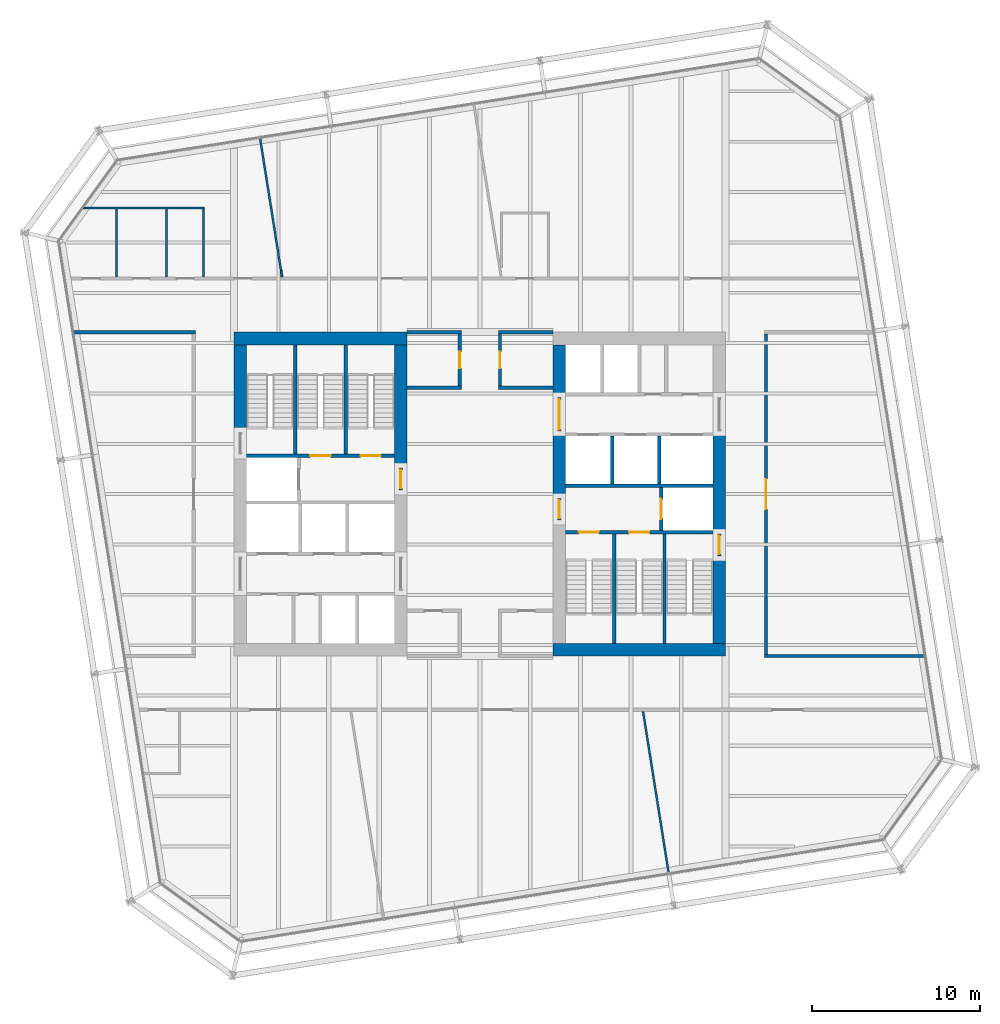
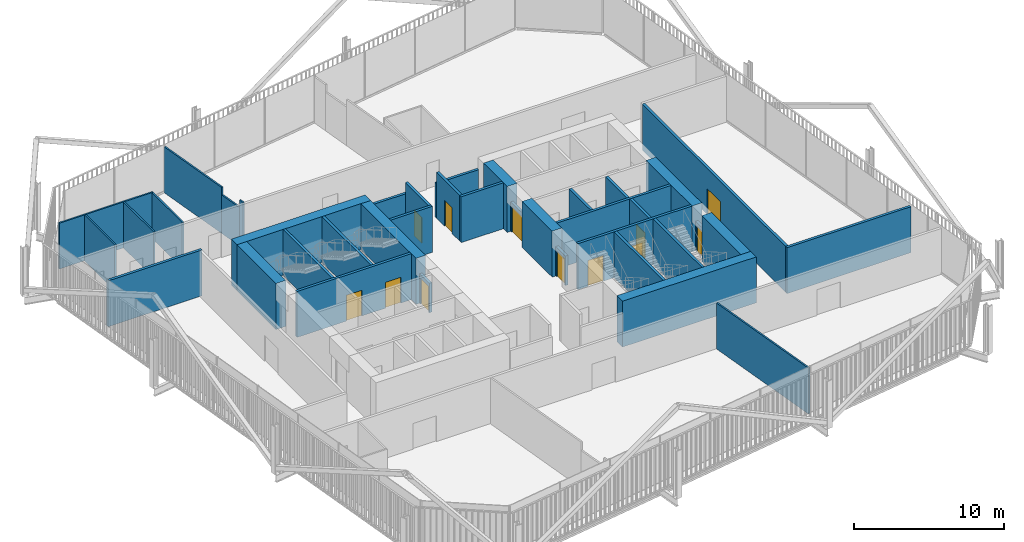
# One storey, part 19 of 22: 39 walls, 12 doors, 12 openings.
"""IFC4 building model written with IfcOpenShell, lengths in metres."""

from ifc_helpers import new_model, si_unit, direction, frame, frame_2d, origin, place, context, subcontext, project, spatial, rectangle, extrude, material, layer, layer_set, type_object, element, fill, save


model = new_model("IFC4")

# Units and contexts
model_context = context("Model", 3, precision=1e-05, world=origin(), true_north=direction((0.0, 1.0)))
body_context = subcontext(model_context, "Body", "Model", "MODEL_VIEW")
ifc_project = project(units=[si_unit("LENGTHUNIT", "METRE"), si_unit("AREAUNIT", "SQUARE_METRE"), si_unit("VOLUMEUNIT", "CUBIC_METRE"), si_unit("PLANEANGLEUNIT", "RADIAN"), si_unit("MASSUNIT", "GRAM", prefix="KILO")], contexts=[model_context])

# Site, building, storey
site_placement = place(None, origin())
site = spatial("IfcSite", under=ifc_project, at=site_placement, CompositionType="ELEMENT")
building_placement = place(site_placement, origin())
building = spatial("IfcBuilding", under=site, at=building_placement, Name="Millrace Tower", CompositionType="ELEMENT")
storey_placement = place(building_placement, frame((0.0, 0.0, 137.300048828125)))
storey = spatial("IfcBuildingStorey", under=building, at=storey_placement, Name="L30", CompositionType="ELEMENT", Elevation=137.300048828125)

# Walls
ifc_material_1 = material(Name="Concrete C70", Category="concrete")
ifc_layer_1 = layer(ifc_material_1, 0.75)
ifc_layer_set_1 = layer_set([ifc_layer_1], Name="Concrete C70")
wall_type_1 = type_object("IfcWallType", Name="Core wall 750 Concrete C70", PredefinedType="SHEAR", material=ifc_layer_set_1)
wall_1_placement = place(storey_placement, frame((-14.64990234375, 9.27490234375, 0.0), z_axis=(0.0, 0.0, 1.0), x_axis=(1.0, 0.0, 0.0)))
element("IfcWall", 1, at=wall_1_placement, inside=storey, type_object=wall_type_1, Name="Core wall W L30", PredefinedType="SHEAR", context=body_context, shape_type="SweptSolid", body=[
    extrude(rectangle(XDim=10.2998046875, YDim=0.75, at=frame_2d((5.14990234375, 0.0))), origin(), (0.0, 0.0, 1.0), 3.739990234375),
])
wall_2_placement = place(storey_placement, frame((-14.27490234375, 3.679931640625, 0.0), z_axis=(0.0, 0.0, 1.0), x_axis=(0.0, 1.0, 0.0)))
element("IfcWall", 2, at=wall_2_placement, inside=storey, type_object=wall_type_1, Name="Core wall W L30", PredefinedType="SHEAR", context=body_context, shape_type="SweptSolid", body=[
    extrude(rectangle(XDim=5.219970703125, YDim=0.75, at=frame_2d((2.60986328125, 0.0))), origin(), (0.0, 0.0, 1.0), 3.739990234375),
])
wall_3_placement = place(storey_placement, frame((-4.72509765625, 1.550048828125, 0.0), z_axis=(0.0, 0.0, 1.0), x_axis=(0.0, 1.0, 0.0)))
element("IfcWall", 3, at=wall_3_placement, inside=storey, type_object=wall_type_1, Name="Core wall W L30", PredefinedType="SHEAR", context=body_context, shape_type="SweptSolid", body=[
    extrude(rectangle(XDim=7.349853515625, YDim=0.75, at=frame_2d((3.6748046875, 0.0))), origin(), (0.0, 0.0, 1.0), 3.739990234375),
])
wall_4_placement = place(storey_placement, frame((14.64990234375, -9.27490234375, 0.0), z_axis=(0.0, 0.0, 1.0), x_axis=(-1.0, 0.0, 0.0)))
element("IfcWall", 4, at=wall_4_placement, inside=storey, type_object=wall_type_1, Name="Core wall E L30", PredefinedType="SHEAR", context=body_context, shape_type="SweptSolid", body=[
    extrude(rectangle(XDim=10.2998046875, YDim=0.75, at=frame_2d((5.14990234375, 0.0))), origin(), (0.0, 0.0, 1.0), 3.739990234375),
])
wall_5_placement = place(storey_placement, frame((14.27490234375, 3.75, 0.0), z_axis=(0.0, 0.0, 1.0), x_axis=(0.0, -1.0, 0.0)))
element("IfcWall", 5, at=wall_5_placement, inside=storey, type_object=wall_type_1, Name="Core wall E L30", PredefinedType="SHEAR", context=body_context, shape_type="SweptSolid", body=[
    extrude(rectangle(XDim=6.1298828125, YDim=0.75, at=frame_2d((3.06494140625, 0.0))), origin(), (0.0, 0.0, 1.0), 3.739990234375),
])
wall_6_placement = place(storey_placement, frame((14.27490234375, -3.679931640625, 0.0), z_axis=(0.0, 0.0, 1.0), x_axis=(0.0, -1.0, 0.0)))
element("IfcWall", 6, at=wall_6_placement, inside=storey, type_object=wall_type_1, Name="Core wall E L30", PredefinedType="SHEAR", context=body_context, shape_type="SweptSolid", body=[
    extrude(rectangle(XDim=5.219970703125, YDim=0.75, at=frame_2d((2.60986328125, 0.0))), origin(), (0.0, 0.0, 1.0), 3.739990234375),
])
wall_7_placement = place(storey_placement, frame((4.72509765625, 8.89990234375, 0.0), z_axis=(0.0, 0.0, 1.0), x_axis=(0.0, -1.0, 0.0)))
element("IfcWall", 7, at=wall_7_placement, inside=storey, type_object=wall_type_1, Name="Core wall E L30", PredefinedType="SHEAR", context=body_context, shape_type="SweptSolid", body=[
    extrude(rectangle(XDim=3.14990234375, YDim=0.75, at=frame_2d((1.574951171875, 0.0))), origin(), (0.0, 0.0, 1.0), 3.739990234375),
])
wall_8_placement = place(storey_placement, frame((4.72509765625, 3.75, 0.0), z_axis=(0.0, 0.0, 1.0), x_axis=(0.0, -1.0, 0.0)))
element("IfcWall", 8, at=wall_8_placement, inside=storey, type_object=wall_type_1, Name="Core wall E L30", PredefinedType="SHEAR", context=body_context, shape_type="SweptSolid", body=[
    extrude(rectangle(XDim=4.0, YDim=0.75, at=frame_2d((2.0, 0.0))), origin(), (0.0, 0.0, 1.0), 3.739990234375),
])
ifc_material_2 = material(Name="Masonry partition, fire-rated", Category="masonry")
ifc_layer_2 = layer(ifc_material_2, 0.199951171875)
ifc_layer_set_2 = layer_set([ifc_layer_2], Name="Masonry partition, fire-rated")
wall_type_2 = type_object("IfcWallType", Name="Corridor wall 200", PredefinedType="PARTITIONING", material=ifc_layer_set_2)
wall_9_placement = place(storey_placement, frame((16.949951171875, -9.64990234375, 0.0), z_axis=(0.0, 0.0, 1.0), x_axis=(1.0, 0.0, 0.0)))
element("IfcWall", 9, at=wall_9_placement, inside=storey, type_object=wall_type_2, Name="Corridor wall L30", PredefinedType="PARTITIONING", context=body_context, shape_type="SweptSolid", body=[
    extrude(rectangle(XDim=9.54638671875, YDim=0.199951171875, at=frame_2d((4.773193359375, 0.0))), origin(), (0.0, 0.0, 1.0), 3.739990234375),
])
for number, where, z_axis, x_axis, name in (
    (10, (-4.35009765625, 6.35009765625, 0.0), (0.0, 0.0, 1.0), (1.0, 0.0, 0.0), "Corridor wall L30"),
    (11, (1.10009765625, 6.35009765625, 0.0), (0.0, 0.0, 1.0), (1.0, 0.0, 0.0), "Corridor wall L30"),
):
    element("IfcWall", number, at=place(storey_placement, frame(where, z_axis=z_axis, x_axis=x_axis)), inside=storey, type_object=wall_type_2, Name=name, PredefinedType="PARTITIONING", context=body_context, shape_type="SweptSolid", body=[
        extrude(rectangle(XDim=3.25, YDim=0.199951171875, at=frame_2d((1.625, 0.0))), origin(), (0.0, 0.0, 1.0), 3.739990234375),
    ])
wall_10_placement = place(storey_placement, frame((-24.20703125, 9.64990234375, 0.0), z_axis=(0.0, 0.0, 1.0), x_axis=(1.0, 0.0, 0.0)))
element("IfcWall", 12, at=wall_10_placement, inside=storey, type_object=wall_type_2, Name="Corridor wall L30", PredefinedType="PARTITIONING", context=body_context, shape_type="SweptSolid", body=[
    extrude(rectangle(XDim=7.257080078125, YDim=0.199951171875, at=frame_2d((3.62841796875, 0.0))), origin(), (0.0, 0.0, 1.0), 3.739990234375),
])
for number, where, z_axis, x_axis, name in (
    (13, (-4.35009765625, 9.64990234375, 0.0), (0.0, 0.0, 1.0), (1.0, 0.0, 0.0), "Corridor wall L30"),
    (14, (1.10009765625, 9.64990234375, 0.0), (0.0, 0.0, 1.0), (1.0, 0.0, 0.0), "Corridor wall L30"),
):
    element("IfcWall", number, at=place(storey_placement, frame(where, z_axis=z_axis, x_axis=x_axis)), inside=storey, type_object=wall_type_2, Name=name, PredefinedType="PARTITIONING", context=body_context, shape_type="SweptSolid", body=[
        extrude(rectangle(XDim=3.25, YDim=0.199951171875, at=frame_2d((1.625, 0.0))), origin(), (0.0, 0.0, 1.0), 2.812744140625),
    ])

# Wall, opening, door
wall_11_placement = place(storey_placement, frame((17.050048828125, -9.550048828125, 0.0), z_axis=(0.0, 0.0, 1.0), x_axis=(0.0, 1.0, 0.0)))
wall_11 = element("IfcWall", 15, at=wall_11_placement, inside=storey, type_object=wall_type_2, Name="Corridor wall L30", PredefinedType="PARTITIONING", context=body_context, shape_type="SweptSolid", body=[
    extrude(rectangle(XDim=19.10009765625, YDim=0.199951171875, at=frame_2d((9.550048828125, 0.0))), origin(), (0.0, 0.0, 1.0), 3.739990234375),
])
opening_1_placement = place(wall_11_placement, frame((8.64990234375, 0.0, 0.0)))
opening_1 = element("IfcOpeningElement", 16, at=opening_1_placement, cuts=wall_11, Name="Opening 30-P012", PredefinedType="OPENING", context=body_context, shape_type="SweptSolid", body=[
    extrude(rectangle(XDim=1.800048828125, YDim=2.10009765625, at=frame_2d((0.89990234375, 1.050048828125))), frame((0.0, 0.10986328125, 0.0), z_axis=(0.0, -1.0, 0.0), x_axis=(1.0, 0.0, 0.0)), (0.0, 0.0, 1.0), 0.219970703125),
])
ifc_material_3 = material(Name="Steel door set, fire-rated", Category="steel")
door_type_1 = type_object("IfcDoorType", Name="Corridor door 1800 x 2100", OperationType="DOUBLE_DOOR_SINGLE_SWING", PredefinedType="DOOR", material=ifc_material_3)
door_1_placement = place(opening_1_placement, origin())
door_1 = element("IfcDoor", 17, at=door_1_placement, inside=storey, type_object=door_type_1, Name="Door 30-P012", OperationType="DOUBLE_DOOR_SINGLE_SWING", OverallHeight=2.10009765625, OverallWidth=1.800048828125, PredefinedType="DOOR", context=body_context, shape_type="SweptSolid", body=[
    extrude(rectangle(XDim=1.800048828125, YDim=2.10009765625, at=frame_2d((0.89990234375, 1.050048828125))), frame((0.0, 0.02490234375, 0.0), z_axis=(0.0, -1.0, 0.0), x_axis=(1.0, 0.0, 0.0)), (0.0, 0.0, 1.0), 0.050048828125),
])
fill(opening_1, door_1)

wall_12_placement = place(storey_placement, frame((1.199951171875, 6.449951171875, 0.0), z_axis=(0.0, 0.0, 1.0), x_axis=(0.0, 1.0, 0.0)))
wall_12 = element("IfcWall", 18, at=wall_12_placement, inside=storey, type_object=wall_type_2, Name="Corridor wall L30", PredefinedType="PARTITIONING", context=body_context, shape_type="SweptSolid", body=[
    extrude(rectangle(XDim=3.10009765625, YDim=0.199951171875, at=frame_2d((1.550048828125, 0.0))), origin(), (0.0, 0.0, 1.0), 3.739990234375),
])
opening_2_placement = place(wall_12_placement, frame((1.050048828125, 0.0, 0.0)))
opening_2 = element("IfcOpeningElement", 19, at=opening_2_placement, cuts=wall_12, Name="Opening 30-P002", PredefinedType="OPENING", context=body_context, shape_type="SweptSolid", body=[
    extrude(rectangle(XDim=1.0, YDim=2.10009765625, at=frame_2d((0.5, 1.050048828125))), frame((0.0, 0.10986328125, 0.0), z_axis=(0.0, -1.0, 0.0), x_axis=(1.0, 0.0, 0.0)), (0.0, 0.0, 1.0), 0.219970703125),
])
ifc_material_4 = material(Name="Steel door set, fire-rated", Category="steel")
door_type_2 = type_object("IfcDoorType", Name="Corridor door 1000 x 2100", OperationType="SINGLE_SWING_LEFT", PredefinedType="DOOR", material=ifc_material_4)
door_2_placement = place(opening_2_placement, frame((1.0, 0.0, 0.0), z_axis=(0.0, 0.0, 1.0), x_axis=(-1.0, 0.0, 0.0)))
door_2 = element("IfcDoor", 20, at=door_2_placement, inside=storey, type_object=door_type_2, Name="Door 30-P002", OperationType="SINGLE_SWING_RIGHT", OverallHeight=2.10009765625, OverallWidth=1.0, PredefinedType="DOOR", context=body_context, shape_type="SweptSolid", body=[
    extrude(rectangle(XDim=1.0, YDim=2.10009765625, at=frame_2d((0.5, 1.050048828125))), frame((0.0, 0.02490234375, 0.0), z_axis=(0.0, -1.0, 0.0), x_axis=(1.0, 0.0, 0.0)), (0.0, 0.0, 1.0), 0.050048828125),
])
fill(opening_2, door_2)

wall_13_placement = place(storey_placement, frame((-1.199951171875, 6.449951171875, 0.0), z_axis=(0.0, 0.0, 1.0), x_axis=(0.0, 1.0, 0.0)))
wall_13 = element("IfcWall", 21, at=wall_13_placement, inside=storey, type_object=wall_type_2, Name="Corridor wall L30", PredefinedType="PARTITIONING", context=body_context, shape_type="SweptSolid", body=[
    extrude(rectangle(XDim=3.10009765625, YDim=0.199951171875, at=frame_2d((1.550048828125, 0.0))), origin(), (0.0, 0.0, 1.0), 3.739990234375),
])
opening_3_placement = place(wall_13_placement, frame((1.050048828125, 0.0, 0.0)))
opening_3 = element("IfcOpeningElement", 22, at=opening_3_placement, cuts=wall_13, Name="Opening 30-P001", PredefinedType="OPENING", context=body_context, shape_type="SweptSolid", body=[
    extrude(rectangle(XDim=1.0, YDim=2.10009765625, at=frame_2d((0.5, 1.050048828125))), frame((0.0, 0.10986328125, 0.0), z_axis=(0.0, -1.0, 0.0), x_axis=(1.0, 0.0, 0.0)), (0.0, 0.0, 1.0), 0.219970703125),
])
door_3_placement = place(opening_3_placement, origin())
door_3 = element("IfcDoor", 23, at=door_3_placement, inside=storey, type_object=door_type_2, Name="Door 30-P001", OperationType="SINGLE_SWING_LEFT", OverallHeight=2.10009765625, OverallWidth=1.0, PredefinedType="DOOR", context=body_context, shape_type="SweptSolid", body=[
    extrude(rectangle(XDim=1.0, YDim=2.10009765625, at=frame_2d((0.5, 1.050048828125))), frame((0.0, 0.02490234375, 0.0), z_axis=(0.0, -1.0, 0.0), x_axis=(1.0, 0.0, 0.0)), (0.0, 0.0, 1.0), 0.050048828125),
])
fill(opening_3, door_3)

# Wall
ifc_material_5 = material(Name="Masonry partition, fire-rated", Category="masonry")
ifc_layer_3 = layer(ifc_material_5, 0.199951171875)
ifc_layer_set_3 = layer_set([ifc_layer_3], Name="Masonry partition, fire-rated")
wall_type_3 = type_object("IfcWallType", Name="Lift shaft wall 200", PredefinedType="PARTITIONING", material=ifc_layer_set_3)
wall_14_placement = place(storey_placement, frame((13.89990234375, 0.5, 0.0), z_axis=(0.0, 0.0, 1.0), x_axis=(-1.0, 0.0, 0.0)))
element("IfcWall", 24, at=wall_14_placement, inside=storey, type_object=wall_type_3, Name="Lift shaft wall E L30", PredefinedType="PARTITIONING", context=body_context, shape_type="SweptSolid", body=[
    extrude(rectangle(XDim=8.7998046875, YDim=0.199951171875, at=frame_2d((4.39990234375, 0.0))), origin(), (0.0, 0.0, 1.0), 3.739990234375),
])

# Wall, opening, door
wall_15_placement = place(storey_placement, frame((10.800048828125, 0.39990234375, 0.0), z_axis=(0.0, 0.0, 1.0), x_axis=(0.0, -1.0, 0.0)))
wall_15 = element("IfcWall", 25, at=wall_15_placement, inside=storey, type_object=wall_type_3, Name="Lift shaft wall E L30", PredefinedType="PARTITIONING", context=body_context, shape_type="SweptSolid", body=[
    extrude(rectangle(XDim=2.579833984375, YDim=0.199951171875, at=frame_2d((1.2900390625, 0.0))), origin(), (0.0, 0.0, 1.0), 3.739990234375),
])
opening_4_placement = place(wall_15_placement, frame((0.68994140625, 0.0, 0.0)))
opening_4 = element("IfcOpeningElement", 26, at=opening_4_placement, cuts=wall_15, Name="Opening 30-LD16", PredefinedType="OPENING", context=body_context, shape_type="SweptSolid", body=[
    extrude(rectangle(XDim=1.199951171875, YDim=2.10009765625, at=frame_2d((0.60009765625, 1.050048828125))), frame((0.0, 0.10986328125, 0.0), z_axis=(0.0, -1.0, 0.0), x_axis=(1.0, 0.0, 0.0)), (0.0, 0.0, 1.0), 0.219970703125),
])
ifc_material_6 = material(Name="Stainless steel, fire-rated", Category="steel")
door_type_3 = type_object("IfcDoorType", Name="Lift landing door 1200 x 2100", OperationType="DOUBLE_DOOR_SLIDING", PredefinedType="DOOR", material=ifc_material_6)
door_4_placement = place(opening_4_placement, origin())
door_4 = element("IfcDoor", 27, at=door_4_placement, inside=storey, type_object=door_type_3, Name="Lift landing door LF16 L30", OperationType="DOUBLE_DOOR_SLIDING", OverallHeight=2.10009765625, OverallWidth=1.199951171875, PredefinedType="DOOR", context=body_context, shape_type="SweptSolid", body=[
    extrude(rectangle(XDim=1.199951171875, YDim=2.10009765625, at=frame_2d((0.60009765625, 1.050048828125))), frame((0.0, 0.02490234375, 0.0), z_axis=(0.0, -1.0, 0.0), x_axis=(1.0, 0.0, 0.0)), (0.0, 0.0, 1.0), 0.050048828125),
])
fill(opening_4, door_4)

# Walls
for number, where, z_axis, x_axis, name in (
    (28, (10.699951171875, 3.449951171875, 0.0), (0.0, 0.0, 1.0), (0.0, -1.0, 0.0), "Lift shaft wall E L30"),
    (29, (7.89990234375, 3.449951171875, 0.0), (0.0, 0.0, 1.0), (0.0, -1.0, 0.0), "Lift shaft wall E L30"),
):
    element("IfcWall", number, at=place(storey_placement, frame(where, z_axis=z_axis, x_axis=x_axis)), inside=storey, type_object=wall_type_3, Name=name, PredefinedType="PARTITIONING", context=body_context, shape_type="SweptSolid", body=[
        extrude(rectangle(XDim=2.849853515625, YDim=0.199951171875, at=frame_2d((1.4248046875, 0.0))), origin(), (0.0, 0.0, 1.0), 3.739990234375),
    ])

# Wall, opening, door
ifc_material_7 = material(Name="Masonry partition, fire-rated", Category="masonry")
ifc_layer_4 = layer(ifc_material_7, 0.199951171875)
ifc_layer_set_4 = layer_set([ifc_layer_4], Name="Masonry partition, fire-rated")
wall_type_4 = type_object("IfcWallType", Name="Lobby wall 200", PredefinedType="PARTITIONING", material=ifc_layer_set_4)
wall_16_placement = place(storey_placement, frame((-4.72509765625, 0.25, 0.0), z_axis=(0.0, 0.0, 1.0), x_axis=(0.0, 1.0, 0.0)))
wall_16 = element("IfcWall", 30, at=wall_16_placement, inside=storey, type_object=wall_type_4, Name="Lobby wall W L30", PredefinedType="PARTITIONING", context=body_context, shape_type="SweptSolid", body=[
    extrude(rectangle(XDim=1.300048828125, YDim=0.199951171875, at=frame_2d((0.64990234375, 0.0))), origin(), (0.0, 0.0, 1.0), 2.39990234375),
])
opening_5_placement = place(wall_16_placement, frame((0.10009765625, 0.0, 0.0)))
opening_5 = element("IfcOpeningElement", 31, at=opening_5_placement, cuts=wall_16, Name="Opening 30-C004", PredefinedType="OPENING", context=body_context, shape_type="SweptSolid", body=[
    extrude(rectangle(XDim=1.10009765625, YDim=2.10009765625, at=frame_2d((0.550048828125, 1.050048828125))), frame((0.0, 0.10986328125, 0.0), z_axis=(0.0, -1.0, 0.0), x_axis=(1.0, 0.0, 0.0)), (0.0, 0.0, 1.0), 0.219970703125),
])
ifc_material_8 = material(Name="Steel door, fire-rated", Category="steel")
door_type_4 = type_object("IfcDoorType", Name="Lobby door 1100 x 2100", OperationType="SINGLE_SWING_LEFT", PredefinedType="DOOR", material=ifc_material_8)
door_5_placement = place(opening_5_placement, origin())
door_5 = element("IfcDoor", 32, at=door_5_placement, inside=storey, type_object=door_type_4, Name="Lobby door 30-C004", OperationType="SINGLE_SWING_LEFT", OverallHeight=2.10009765625, OverallWidth=1.10009765625, PredefinedType="DOOR", context=body_context, shape_type="SweptSolid", body=[
    extrude(rectangle(XDim=1.10009765625, YDim=2.10009765625, at=frame_2d((0.550048828125, 1.050048828125))), frame((0.0, 0.02490234375, 0.0), z_axis=(0.0, -1.0, 0.0), x_axis=(1.0, 0.0, 0.0)), (0.0, 0.0, 1.0), 0.050048828125),
])
fill(opening_5, door_5)

wall_17_placement = place(storey_placement, frame((4.72509765625, 5.75, 0.0), z_axis=(0.0, 0.0, 1.0), x_axis=(0.0, -1.0, 0.0)))
wall_17 = element("IfcWall", 33, at=wall_17_placement, inside=storey, type_object=wall_type_4, Name="Lobby wall E L30", PredefinedType="PARTITIONING", context=body_context, shape_type="SweptSolid", body=[
    extrude(rectangle(XDim=2.0, YDim=0.199951171875, at=frame_2d((1.0, 0.0))), origin(), (0.0, 0.0, 1.0), 2.39990234375),
])
opening_6_placement = place(wall_17_placement, frame((0.10009765625, 0.0, 0.0)))
opening_6 = element("IfcOpeningElement", 34, at=opening_6_placement, cuts=wall_17, Name="Opening 30-C011", PredefinedType="OPENING", context=body_context, shape_type="SweptSolid", body=[
    extrude(rectangle(XDim=1.800048828125, YDim=2.10009765625, at=frame_2d((0.89990234375, 1.050048828125))), frame((0.0, 0.10986328125, 0.0), z_axis=(0.0, -1.0, 0.0), x_axis=(1.0, 0.0, 0.0)), (0.0, 0.0, 1.0), 0.219970703125),
])
ifc_material_9 = material(Name="Steel door, fire-rated", Category="steel")
door_type_5 = type_object("IfcDoorType", Name="Lobby door 1800 x 2100", OperationType="DOUBLE_DOOR_SINGLE_SWING", PredefinedType="DOOR", material=ifc_material_9)
door_6_placement = place(opening_6_placement, origin())
door_6 = element("IfcDoor", 35, at=door_6_placement, inside=storey, type_object=door_type_5, Name="Lobby door 30-C011", OperationType="DOUBLE_DOOR_SINGLE_SWING", OverallHeight=2.10009765625, OverallWidth=1.800048828125, PredefinedType="DOOR", context=body_context, shape_type="SweptSolid", body=[
    extrude(rectangle(XDim=1.800048828125, YDim=2.10009765625, at=frame_2d((0.89990234375, 1.050048828125))), frame((0.0, 0.02490234375, 0.0), z_axis=(0.0, -1.0, 0.0), x_axis=(1.0, 0.0, 0.0)), (0.0, 0.0, 1.0), 0.050048828125),
])
fill(opening_6, door_6)

wall_18_placement = place(storey_placement, frame((4.72509765625, -0.25, 0.0), z_axis=(0.0, 0.0, 1.0), x_axis=(0.0, -1.0, 0.0)))
wall_18 = element("IfcWall", 36, at=wall_18_placement, inside=storey, type_object=wall_type_4, Name="Lobby wall E L30", PredefinedType="PARTITIONING", context=body_context, shape_type="SweptSolid", body=[
    extrude(rectangle(XDim=1.300048828125, YDim=0.199951171875, at=frame_2d((0.64990234375, 0.0))), origin(), (0.0, 0.0, 1.0), 2.39990234375),
])
opening_7_placement = place(wall_18_placement, frame((0.10009765625, 0.0, 0.0)))
opening_7 = element("IfcOpeningElement", 37, at=opening_7_placement, cuts=wall_18, Name="Opening 30-C012", PredefinedType="OPENING", context=body_context, shape_type="SweptSolid", body=[
    extrude(rectangle(XDim=1.10009765625, YDim=2.10009765625, at=frame_2d((0.550048828125, 1.050048828125))), frame((0.0, 0.10986328125, 0.0), z_axis=(0.0, -1.0, 0.0), x_axis=(1.0, 0.0, 0.0)), (0.0, 0.0, 1.0), 0.219970703125),
])
door_7_placement = place(opening_7_placement, origin())
door_7 = element("IfcDoor", 38, at=door_7_placement, inside=storey, type_object=door_type_4, Name="Lobby door 30-C012", OperationType="SINGLE_SWING_RIGHT", OverallHeight=2.10009765625, OverallWidth=1.10009765625, PredefinedType="DOOR", context=body_context, shape_type="SweptSolid", body=[
    extrude(rectangle(XDim=1.10009765625, YDim=2.10009765625, at=frame_2d((0.550048828125, 1.050048828125))), frame((0.0, 0.02490234375, 0.0), z_axis=(0.0, -1.0, 0.0), x_axis=(1.0, 0.0, 0.0)), (0.0, 0.0, 1.0), 0.050048828125),
])
fill(opening_7, door_7)

# Walls
ifc_material_10 = material(Name="Gypsum board partition")
ifc_layer_5 = layer(ifc_material_10, 0.1201171875)
ifc_layer_set_5 = layer_set([ifc_layer_5], Name="Gypsum board partition")
wall_type_5 = type_object("IfcWallType", Name="Partition wall 120", PredefinedType="PARTITIONING", material=ifc_layer_set_5)
wall_19_placement = place(storey_placement, frame((-13.098876953125, 21.20849609375, 0.0), z_axis=(0.0, 0.0, 1.0), x_axis=(0.156435215838, -0.98768822168, 0.0)))
element("IfcWall", 39, at=wall_19_placement, inside=storey, type_object=wall_type_5, Name="Partition wall L30", PredefinedType="PARTITIONING", context=body_context, shape_type="SweptSolid", body=[
    extrude(rectangle(XDim=6.073974609375, YDim=0.1201171875, at=frame_2d((3.037109375, 0.0))), origin(), (0.0, 0.0, 1.0), 3.739990234375),
])
wall_20_placement = place(storey_placement, frame((-12.148681640625, 15.209228515625, 0.0), z_axis=(0.0, 0.0, 1.0), x_axis=(0.15645727636, -0.987684727367, 0.0)))
element("IfcWall", 40, at=wall_20_placement, inside=storey, type_object=wall_type_5, Name="Partition wall L30", PredefinedType="PARTITIONING", context=body_context, shape_type="SweptSolid", body=[
    extrude(rectangle(XDim=1.900634765625, YDim=0.1201171875, at=frame_2d((0.9501953125, 0.0))), origin(), (0.0, 0.0, 1.0), 3.137939453125),
])
wall_21_placement = place(storey_placement, frame((-11.851318359375, 13.33203125, 0.0), z_axis=(0.0, 0.0, 1.0), x_axis=(0.156640922974, -0.987655618751, 0.0)))
element("IfcWall", 41, at=wall_21_placement, inside=storey, type_object=wall_type_5, Name="Partition wall L30", PredefinedType="PARTITIONING", context=body_context, shape_type="SweptSolid", body=[
    extrude(rectangle(XDim=0.38818359375, YDim=0.1201171875, at=frame_2d((0.194091796875, 0.0))), origin(), (0.0, 0.0, 1.0), 3.739990234375),
])
wall_22_placement = place(storey_placement, frame((9.7255859375, -12.94873046875, 0.0), z_axis=(0.0, 0.0, 1.0), x_axis=(0.156481887186, -0.987680828498, 0.0)))
element("IfcWall", 42, at=wall_22_placement, inside=storey, type_object=wall_type_5, Name="Partition wall L30", PredefinedType="PARTITIONING", context=body_context, shape_type="SweptSolid", body=[
    extrude(rectangle(XDim=9.752685546875, YDim=0.1201171875, at=frame_2d((4.87646484375, 0.0))), origin(), (0.0, 0.0, 1.0), 3.739990234375),
])
wall_23_placement = place(storey_placement, frame((-23.6474609375, 17.050048828125, 0.0), z_axis=(0.0, 0.0, 1.0), x_axis=(1.0, 0.0, 0.0)))
element("IfcWall", 43, at=wall_23_placement, inside=storey, type_object=wall_type_5, Name="Partition wall L30", PredefinedType="PARTITIONING", context=body_context, shape_type="SweptSolid", body=[
    extrude(rectangle(XDim=7.244384765625, YDim=0.1201171875, at=frame_2d((3.6220703125, 0.0))), origin(), (0.0, 0.0, 1.0), 3.739990234375),
])
for number, where, z_axis, x_axis, name in (
    (44, (-16.462890625, 12.949951171875, 0.0), (0.0, 0.0, 1.0), (0.0, 1.0, 0.0), "Partition wall L30"),
    (45, (-18.6630859375, 12.949951171875, 0.0), (0.0, 0.0, 1.0), (0.0, 1.0, 0.0), "Partition wall L30"),
    (46, (-21.6630859375, 12.949951171875, 0.0), (0.0, 0.0, 1.0), (0.0, 1.0, 0.0), "Partition wall L30"),
):
    element("IfcWall", number, at=place(storey_placement, frame(where, z_axis=z_axis, x_axis=x_axis)), inside=storey, type_object=wall_type_5, Name=name, PredefinedType="PARTITIONING", context=body_context, shape_type="SweptSolid", body=[
        extrude(rectangle(XDim=4.0400390625, YDim=0.1201171875, at=frame_2d((2.02001953125, 0.0))), origin(), (0.0, 0.0, 1.0), 3.739990234375),
    ])

# Wall, openings, doors
ifc_material_11 = material(Name="Concrete C40", Category="concrete")
ifc_layer_6 = layer(ifc_material_11, 0.199951171875)
ifc_layer_set_6 = layer_set([ifc_layer_6], Name="Concrete C40")
wall_type_6 = type_object("IfcWallType", Name="Stair enclosure wall 200 Concrete C40", PredefinedType="SHEAR", material=ifc_layer_set_6)
wall_24_placement = place(storey_placement, frame((-13.89990234375, 2.280029296875, 0.0), z_axis=(0.0, 0.0, 1.0), x_axis=(1.0, 0.0, 0.0)))
wall_24 = element("IfcWall", 47, at=wall_24_placement, inside=storey, type_object=wall_type_6, Name="Stair enclosure wall W L30", PredefinedType="SHEAR", context=body_context, shape_type="SweptSolid", body=[
    extrude(rectangle(XDim=8.7998046875, YDim=0.199951171875, at=frame_2d((4.39990234375, 0.0))), origin(), (0.0, 0.0, 1.0), 3.739990234375),
])
opening_8_placement = place(wall_24_placement, frame((3.800048828125, 0.0, 0.0)))
opening_8 = element("IfcOpeningElement", 48, at=opening_8_placement, cuts=wall_24, Name="Opening 30-C007", PredefinedType="OPENING", context=body_context, shape_type="SweptSolid", body=[
    extrude(rectangle(XDim=1.199951171875, YDim=2.10009765625, at=frame_2d((0.60009765625, 1.050048828125))), frame((0.0, 0.10986328125, 0.0), z_axis=(0.0, -1.0, 0.0), x_axis=(1.0, 0.0, 0.0)), (0.0, 0.0, 1.0), 0.219970703125),
])
opening_9_placement = place(wall_24_placement, frame((6.800048828125, 0.0, 0.0)))
opening_9 = element("IfcOpeningElement", 49, at=opening_9_placement, cuts=wall_24, Name="Opening 30-C008", PredefinedType="OPENING", context=body_context, shape_type="SweptSolid", body=[
    extrude(rectangle(XDim=1.199951171875, YDim=2.10009765625, at=frame_2d((0.60009765625, 1.050048828125))), frame((0.0, 0.10986328125, 0.0), z_axis=(0.0, -1.0, 0.0), x_axis=(1.0, 0.0, 0.0)), (0.0, 0.0, 1.0), 0.219970703125),
])
ifc_material_12 = material(Name="Steel door, fire-rated", Category="steel")
door_type_6 = type_object("IfcDoorType", Name="Stair door 1200 x 2100", OperationType="SINGLE_SWING_LEFT", PredefinedType="DOOR", material=ifc_material_12)
door_8_placement = place(opening_8_placement, frame((1.199951171875, 0.0, 0.0), z_axis=(0.0, 0.0, 1.0), x_axis=(-1.0, 0.0, 0.0)))
door_8 = element("IfcDoor", 50, at=door_8_placement, inside=storey, type_object=door_type_6, Name="Stair door 30-C007", OperationType="SINGLE_SWING_LEFT", OverallHeight=2.10009765625, OverallWidth=1.199951171875, PredefinedType="DOOR", context=body_context, shape_type="SweptSolid", body=[
    extrude(rectangle(XDim=1.199951171875, YDim=2.10009765625, at=frame_2d((0.60009765625, 1.050048828125))), frame((0.0, 0.02490234375, 0.0), z_axis=(0.0, -1.0, 0.0), x_axis=(1.0, 0.0, 0.0)), (0.0, 0.0, 1.0), 0.050048828125),
])
fill(opening_8, door_8)
door_9_placement = place(opening_9_placement, frame((1.199951171875, 0.0, 0.0), z_axis=(0.0, 0.0, 1.0), x_axis=(-1.0, 0.0, 0.0)))
door_9 = element("IfcDoor", 51, at=door_9_placement, inside=storey, type_object=door_type_6, Name="Stair door 30-C008", OperationType="SINGLE_SWING_LEFT", OverallHeight=2.10009765625, OverallWidth=1.199951171875, PredefinedType="DOOR", context=body_context, shape_type="SweptSolid", body=[
    extrude(rectangle(XDim=1.199951171875, YDim=2.10009765625, at=frame_2d((0.60009765625, 1.050048828125))), frame((0.0, 0.02490234375, 0.0), z_axis=(0.0, -1.0, 0.0), x_axis=(1.0, 0.0, 0.0)), (0.0, 0.0, 1.0), 0.050048828125),
])
fill(opening_9, door_9)

# Walls
for number, where, z_axis, x_axis, name in (
    (52, (-11.0, 2.3798828125, 0.0), (0.0, 0.0, 1.0), (0.0, 1.0, 0.0), "Stair enclosure wall W L30"),
    (53, (-8.0, 2.3798828125, 0.0), (0.0, 0.0, 1.0), (0.0, 1.0, 0.0), "Stair enclosure wall W L30"),
):
    element("IfcWall", number, at=place(storey_placement, frame(where, z_axis=z_axis, x_axis=x_axis)), inside=storey, type_object=wall_type_6, Name=name, PredefinedType="SHEAR", context=body_context, shape_type="SweptSolid", body=[
        extrude(rectangle(XDim=6.52001953125, YDim=0.199951171875, at=frame_2d((3.260009765625, 0.0))), origin(), (0.0, 0.0, 1.0), 3.739990234375),
    ])

# Wall, opening, door
wall_25_placement = place(storey_placement, frame((14.27490234375, -2.3798828125, 0.0), z_axis=(0.0, 0.0, 1.0), x_axis=(0.0, -1.0, 0.0)))
wall_25 = element("IfcWall", 54, at=wall_25_placement, inside=storey, type_object=wall_type_6, Name="Stair enclosure wall E L30", PredefinedType="SHEAR", context=body_context, shape_type="SweptSolid", body=[
    extrude(rectangle(XDim=1.300048828125, YDim=0.199951171875, at=frame_2d((0.64990234375, 0.0))), origin(), (0.0, 0.0, 1.0), 2.39990234375),
])
opening_10_placement = place(wall_25_placement, frame((0.10009765625, 0.0, 0.0)))
opening_10 = element("IfcOpeningElement", 55, at=opening_10_placement, cuts=wall_25, Name="Opening 30-C010", PredefinedType="OPENING", context=body_context, shape_type="SweptSolid", body=[
    extrude(rectangle(XDim=1.10009765625, YDim=2.10009765625, at=frame_2d((0.550048828125, 1.050048828125))), frame((0.0, 0.10986328125, 0.0), z_axis=(0.0, -1.0, 0.0), x_axis=(1.0, 0.0, 0.0)), (0.0, 0.0, 1.0), 0.219970703125),
])
ifc_material_13 = material(Name="Steel door, fire-rated", Category="steel")
door_type_7 = type_object("IfcDoorType", Name="Stair door 1100 x 2100", OperationType="SINGLE_SWING_LEFT", PredefinedType="DOOR", material=ifc_material_13)
door_10_placement = place(opening_10_placement, origin())
door_10 = element("IfcDoor", 56, at=door_10_placement, inside=storey, type_object=door_type_7, Name="Stair door 30-C010", OperationType="SINGLE_SWING_RIGHT", OverallHeight=2.10009765625, OverallWidth=1.10009765625, PredefinedType="DOOR", context=body_context, shape_type="SweptSolid", body=[
    extrude(rectangle(XDim=1.10009765625, YDim=2.10009765625, at=frame_2d((0.550048828125, 1.050048828125))), frame((0.0, 0.02490234375, 0.0), z_axis=(0.0, -1.0, 0.0), x_axis=(1.0, 0.0, 0.0)), (0.0, 0.0, 1.0), 0.050048828125),
])
fill(opening_10, door_10)

# Wall, openings, doors
wall_26_placement = place(storey_placement, frame((13.89990234375, -2.280029296875, 0.0), z_axis=(0.0, 0.0, 1.0), x_axis=(-1.0, 0.0, 0.0)))
wall_26 = element("IfcWall", 57, at=wall_26_placement, inside=storey, type_object=wall_type_6, Name="Stair enclosure wall E L30", PredefinedType="SHEAR", context=body_context, shape_type="SweptSolid", body=[
    extrude(rectangle(XDim=8.7998046875, YDim=0.199951171875, at=frame_2d((4.39990234375, 0.0))), origin(), (0.0, 0.0, 1.0), 3.739990234375),
])
opening_11_placement = place(wall_26_placement, frame((3.800048828125, 0.0, 0.0)))
opening_11 = element("IfcOpeningElement", 58, at=opening_11_placement, cuts=wall_26, Name="Opening 30-C015", PredefinedType="OPENING", context=body_context, shape_type="SweptSolid", body=[
    extrude(rectangle(XDim=1.199951171875, YDim=2.10009765625, at=frame_2d((0.60009765625, 1.050048828125))), frame((0.0, 0.10986328125, 0.0), z_axis=(0.0, -1.0, 0.0), x_axis=(1.0, 0.0, 0.0)), (0.0, 0.0, 1.0), 0.219970703125),
])
opening_12_placement = place(wall_26_placement, frame((6.800048828125, 0.0, 0.0)))
opening_12 = element("IfcOpeningElement", 59, at=opening_12_placement, cuts=wall_26, Name="Opening 30-C016", PredefinedType="OPENING", context=body_context, shape_type="SweptSolid", body=[
    extrude(rectangle(XDim=1.199951171875, YDim=2.10009765625, at=frame_2d((0.60009765625, 1.050048828125))), frame((0.0, 0.10986328125, 0.0), z_axis=(0.0, -1.0, 0.0), x_axis=(1.0, 0.0, 0.0)), (0.0, 0.0, 1.0), 0.219970703125),
])
door_11_placement = place(opening_11_placement, frame((1.199951171875, 0.0, 0.0), z_axis=(0.0, 0.0, 1.0), x_axis=(-1.0, 0.0, 0.0)))
door_11 = element("IfcDoor", 60, at=door_11_placement, inside=storey, type_object=door_type_6, Name="Stair door 30-C015", OperationType="SINGLE_SWING_LEFT", OverallHeight=2.10009765625, OverallWidth=1.199951171875, PredefinedType="DOOR", context=body_context, shape_type="SweptSolid", body=[
    extrude(rectangle(XDim=1.199951171875, YDim=2.10009765625, at=frame_2d((0.60009765625, 1.050048828125))), frame((0.0, 0.02490234375, 0.0), z_axis=(0.0, -1.0, 0.0), x_axis=(1.0, 0.0, 0.0)), (0.0, 0.0, 1.0), 0.050048828125),
])
fill(opening_11, door_11)
door_12_placement = place(opening_12_placement, frame((1.199951171875, 0.0, 0.0), z_axis=(0.0, 0.0, 1.0), x_axis=(-1.0, 0.0, 0.0)))
door_12 = element("IfcDoor", 61, at=door_12_placement, inside=storey, type_object=door_type_6, Name="Stair door 30-C016", OperationType="SINGLE_SWING_LEFT", OverallHeight=2.10009765625, OverallWidth=1.199951171875, PredefinedType="DOOR", context=body_context, shape_type="SweptSolid", body=[
    extrude(rectangle(XDim=1.199951171875, YDim=2.10009765625, at=frame_2d((0.60009765625, 1.050048828125))), frame((0.0, 0.02490234375, 0.0), z_axis=(0.0, -1.0, 0.0), x_axis=(1.0, 0.0, 0.0)), (0.0, 0.0, 1.0), 0.050048828125),
])
fill(opening_12, door_12)

# Walls
for number, where, z_axis, x_axis, name in (
    (62, (11.0, -2.3798828125, 0.0), (0.0, 0.0, 1.0), (0.0, -1.0, 0.0), "Stair enclosure wall E L30"),
    (63, (8.0, -2.3798828125, 0.0), (0.0, 0.0, 1.0), (0.0, -1.0, 0.0), "Stair enclosure wall E L30"),
):
    element("IfcWall", number, at=place(storey_placement, frame(where, z_axis=z_axis, x_axis=x_axis)), inside=storey, type_object=wall_type_6, Name=name, PredefinedType="SHEAR", context=body_context, shape_type="SweptSolid", body=[
        extrude(rectangle(XDim=6.52001953125, YDim=0.199951171875, at=frame_2d((3.260009765625, 0.0))), origin(), (0.0, 0.0, 1.0), 3.739990234375),
    ])

save(model, "model.ifc")
